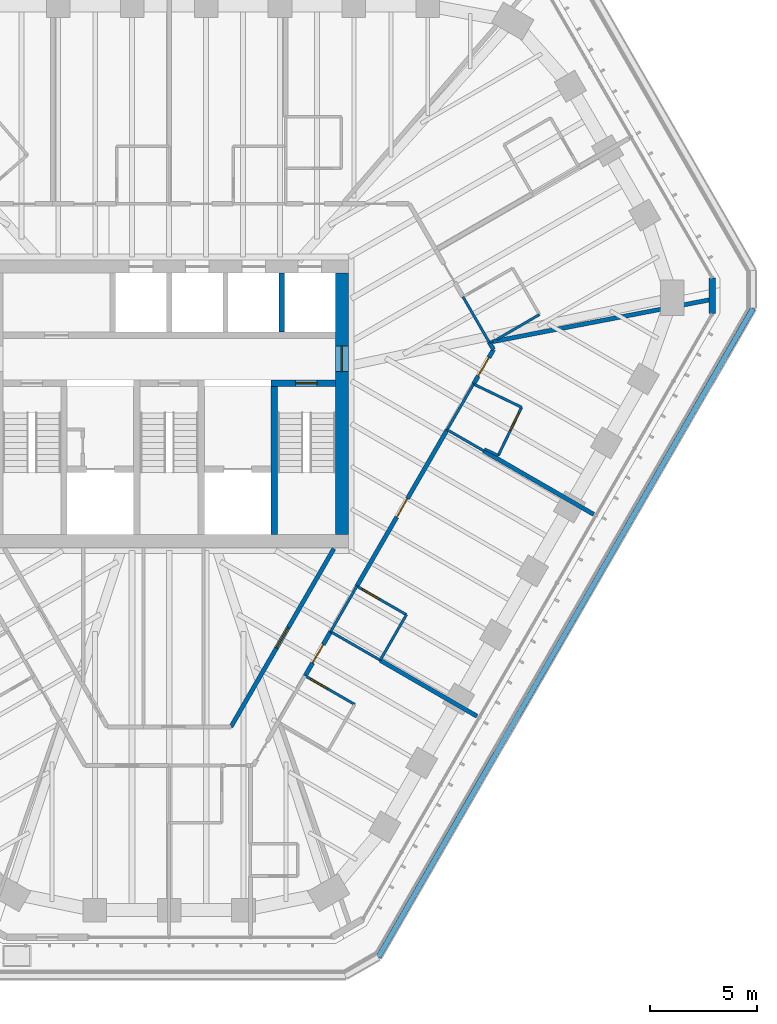
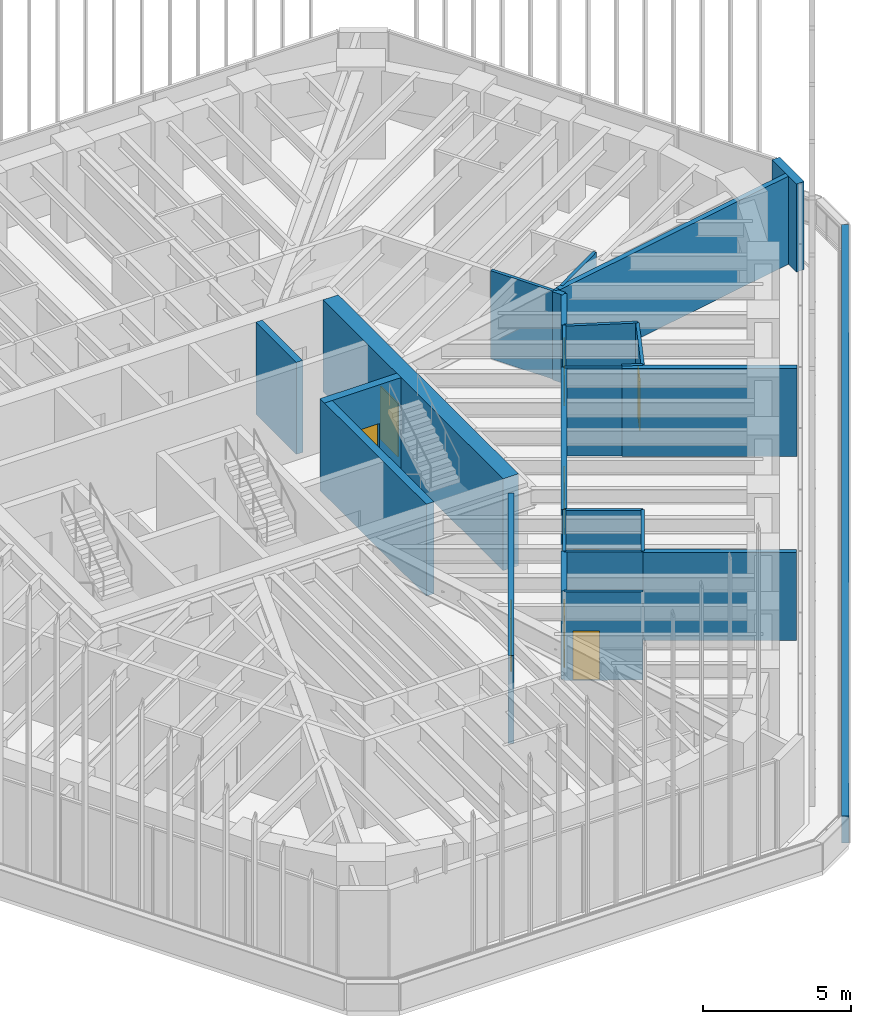
# One storey, part 122 of 127: 27 walls, 9 doors, 9 openings.
"""IFC4 building model written with IfcOpenShell, lengths in metres."""

import ifcopenshell
import ifcopenshell.guid

model = None  # the IFC model being written
_history = None  # IfcOwnerHistory: only IFC2X3 demands one
_inside = {}  # id of a spatial element -> (the spatial element, [elements in it])
_under = {}  # id of a project, library or spatial element -> (it, [spatial elements below it])
_declared = {}  # id of a project -> (the project, [libraries it declares])
_typed = {}  # id of a type object -> (the type object, [elements of that type])
_made_of = {}  # id of a material, layer set ... -> (it, [elements and type objects made of it])


def new_model(schema):
    """Start an empty IFC model of exactly this schema.

    Asked for "IFC4X3", IfcOpenShell would pick the latest addendum, in which some entities
    have other attributes; the version numbers below select the first issue.
    IFC2X3 requires an IfcOwnerHistory on every rooted entity: one is made here for all.
    """
    global model, _history
    if schema == "IFC4X3":
        model = ifcopenshell.file(schema_version=(4, 3, 0, 0))
    else:
        model = ifcopenshell.file(schema=schema)
    _inside.clear()
    _under.clear()
    _declared.clear()
    _typed.clear()
    _made_of.clear()
    _history = None
    if model.schema == "IFC2X3":
        org = make("IfcOrganization", Name="unknown")
        user = make(
            "IfcPersonAndOrganization",
            ThePerson=make("IfcPerson", FamilyName="unknown"),
            TheOrganization=org,
        )
        app = make(
            "IfcApplication",
            ApplicationDeveloper=org,
            Version="unknown",
            ApplicationFullName="unknown",
            ApplicationIdentifier="unknown",
        )
        _history = make(
            "IfcOwnerHistory",
            OwningUser=user,
            OwningApplication=app,
            ChangeAction="ADDED",
            CreationDate=0,
        )
    return model


def make(cls, **values):
    """One entity of the class cls with the attributes given. An attribute that is None is left unset."""
    return model.create_entity(
        cls, **{name: value for name, value in values.items() if value is not None}
    )


def rooted(cls, **values):
    """An entity with a GlobalId (a new one), such as an element, a storey or a relation."""
    return make(cls, GlobalId=ifcopenshell.guid.new(), OwnerHistory=_history, **values)


def si_unit(unit_type, name, prefix=None):
    """IfcSIUnit, for example si_unit("LENGTHUNIT", "METRE", prefix="MILLI")."""
    return make("IfcSIUnit", UnitType=unit_type, Prefix=prefix, Name=name)


def assignment(units):
    """IfcUnitAssignment: the units of a project."""
    return None if units is None else make("IfcUnitAssignment", Units=units)


def point(xyz):
    """IfcCartesianPoint."""
    return None if xyz is None else make("IfcCartesianPoint", Coordinates=xyz)


def direction(xyz):
    """IfcDirection."""
    return None if xyz is None else make("IfcDirection", DirectionRatios=xyz)


def frame(location, z_axis=None, x_axis=None):
    """IfcAxis2Placement3D, a coordinate frame: its origin and axes. An axis left out is left unset."""
    return make(
        "IfcAxis2Placement3D",
        Location=point(location),
        Axis=direction(z_axis),
        RefDirection=direction(x_axis),
    )


def frame_2d(location, x_axis=None):
    """IfcAxis2Placement2D, a coordinate frame in the plane: its origin and x axis."""
    return make(
        "IfcAxis2Placement2D", Location=point(location), RefDirection=direction(x_axis)
    )


def origin():
    """The frame at (0, 0, 0) with its axes left unset."""
    return frame((0.0, 0.0, 0.0))


def place(relative_to, where):
    """IfcLocalPlacement: puts the frame where relative to a parent placement (None: the world)."""
    return make(
        "IfcLocalPlacement", PlacementRelTo=relative_to, RelativePlacement=where
    )


def context(
    kind, dimensions, precision=None, world=None, true_north=None, identifier=None
):
    """IfcGeometricRepresentationContext, for example the 3D "Model" context."""
    return make(
        "IfcGeometricRepresentationContext",
        ContextIdentifier=identifier,
        ContextType=kind,
        CoordinateSpaceDimension=dimensions,
        Precision=precision,
        WorldCoordinateSystem=world,
        TrueNorth=true_north,
    )


def subcontext(parent, identifier, kind, view, scale=None):
    """IfcGeometricRepresentationSubContext, for example "Body" below "Model"."""
    return make(
        "IfcGeometricRepresentationSubContext",
        ContextIdentifier=identifier,
        ContextType=kind,
        ParentContext=parent,
        TargetScale=scale,
        TargetView=view,
    )


def project(units=None, contexts=None):
    """IfcProject with its units and contexts."""
    return rooted(
        "IfcProject",
        Name="project",
        RepresentationContexts=contexts,
        UnitsInContext=assignment(units),
    )


def spatial(cls, under=None, at=None, **own):
    """A site, building, storey or space (cls), placed at a placement, below another one or the project."""
    s = rooted(cls, ObjectPlacement=at, **own)
    if under is not None:
        _under.setdefault(under.id(), (under, []))[1].append(s)
    return s


def profile(cls, at=None, kind="AREA", **sizes):
    """A parametric profile (cls). Its sizes go by their IFC names, for example OverallWidth=200.0."""
    return make(cls, ProfileType=kind, Position=at, **sizes)


def rectangle(**sizes):
    """IfcRectangleProfileDef."""
    return profile("IfcRectangleProfileDef", **sizes)


def extrude(swept, where, along, depth):
    """IfcExtrudedAreaSolid: the profile swept, set in the frame where, extruded along a direction by depth."""
    return make(
        "IfcExtrudedAreaSolid",
        SweptArea=swept,
        Position=where,
        ExtrudedDirection=direction(along),
        Depth=depth,
    )


def shape(context_of_items, identifier, shape_type, items):
    """IfcShapeRepresentation: the items that make up one representation, for example the "Body"."""
    return make(
        "IfcShapeRepresentation",
        ContextOfItems=context_of_items,
        RepresentationIdentifier=identifier,
        RepresentationType=shape_type,
        Items=items,
    )


def material(Name=None, Category=None):
    """IfcMaterial."""
    return make("IfcMaterial", Name=Name, Category=Category)


def layer(
    of_material, thickness, ventilated=None, Name=None, Category=None, Priority=None
):
    """IfcMaterialLayer: one layer of a wall or slab, of a material (None: an air gap)."""
    return make(
        "IfcMaterialLayer",
        Material=of_material,
        LayerThickness=thickness,
        IsVentilated=ventilated,
        Name=Name,
        Category=Category,
        Priority=Priority,
    )


def layer_set(layers, Name=None):
    """IfcMaterialLayerSet."""
    return make("IfcMaterialLayerSet", MaterialLayers=layers, LayerSetName=Name)


def made_of(thing, what):
    """Note that an element or type object is made of a material, layer set ...; save() writes the relation."""
    if what is not None:
        _made_of.setdefault(what.id(), (what, []))[1].append(thing)
    return thing


def type_object(cls, material=None, **own):
    """A type object (cls), such as IfcWallType, which elements share."""
    return made_of(rooted(cls, **own), material)


def element(
    cls,
    number,
    at=None,
    inside=None,
    cuts=None,
    type_object=None,
    material=None,
    context=None,
    identifier="Body",
    shape_type=None,
    held_by="IfcProductDefinitionShape",
    body=None,
    shapes=None,
    **own,
):
    """One element of the class cls, such as IfcWall. Its Tag is "e" and its number.

    at: its placement. inside: the storey or other place that contains it. cuts: it is an
    opening in that element (IfcRelVoidsElement). A single representation is given by context,
    identifier, shape_type and body (its items); several are given by shapes. held_by: the class
    of the entity that holds the representations. save() writes the other relations.
    """
    e = rooted(cls, Tag="e%d" % number, ObjectPlacement=at, **own)
    if body is not None:
        shapes = [shape(context, identifier, shape_type, body)]
    if shapes is not None:
        e.Representation = make(held_by, Representations=shapes)
    if inside is not None:
        _inside.setdefault(inside.id(), (inside, []))[1].append(e)
    if cuts is not None:
        rooted(
            "IfcRelVoidsElement", RelatingBuildingElement=cuts, RelatedOpeningElement=e
        )
    if type_object is not None:
        _typed.setdefault(type_object.id(), (type_object, []))[1].append(e)
    return made_of(e, material)


def fill(opening, filler):
    """IfcRelFillsElement: the door or window that sits in an opening."""
    return rooted(
        "IfcRelFillsElement",
        RelatingOpeningElement=opening,
        RelatedBuildingElement=filler,
    )


def aggregate(whole, parts):
    """IfcRelAggregates: a whole, such as a stair, and the parts it consists of."""
    return rooted("IfcRelAggregates", RelatingObject=whole, RelatedObjects=parts)


def save(model, path):
    """Write the relations noted so far, then the file.

    IfcRelAggregates (storeys below a building ...), IfcRelContainedInSpatialStructure (elements
    in a storey), IfcRelDefinesByType, IfcRelAssociatesMaterial and IfcRelDeclares: one each for
    every whole, place, type object, material and project.
    """
    for whole, parts in _under.values():
        aggregate(whole, parts)
    for where, things in _inside.values():
        rooted(
            "IfcRelContainedInSpatialStructure",
            RelatedElements=things,
            RelatingStructure=where,
        )
    for kind, things in _typed.values():
        rooted("IfcRelDefinesByType", RelatedObjects=things, RelatingType=kind)
    for what, things in _made_of.values():
        rooted("IfcRelAssociatesMaterial", RelatedObjects=things, RelatingMaterial=what)
    for by, libraries in _declared.values():
        rooted("IfcRelDeclares", RelatingContext=by, RelatedDefinitions=libraries)
    model.write(path)


model = new_model("IFC4")

# Units and contexts
model_context = context("Model", 3, precision=1e-05, world=origin(), true_north=direction((0.0, 1.0)))
body_context = subcontext(model_context, "Body", "Model", "MODEL_VIEW")
ifc_project = project(units=[si_unit("LENGTHUNIT", "METRE"), si_unit("AREAUNIT", "SQUARE_METRE"), si_unit("VOLUMEUNIT", "CUBIC_METRE"), si_unit("PLANEANGLEUNIT", "RADIAN"), si_unit("MASSUNIT", "GRAM", prefix="KILO")], contexts=[model_context])

# Site, building, storey
site_placement = place(None, origin())
site = spatial("IfcSite", under=ifc_project, at=site_placement, CompositionType="ELEMENT")
building_placement = place(site_placement, origin())
building = spatial("IfcBuilding", under=site, at=building_placement, Name="Sandreach Pilgrim Tower", CompositionType="ELEMENT")
storey_placement = place(building_placement, frame((0.0, 0.0, 257.0)))
storey = spatial("IfcBuildingStorey", under=building, at=storey_placement, Name="L64", CompositionType="ELEMENT", Elevation=257.0)

# Walls
ifc_material_1 = material(Name="Moisture-resistant gypsum board on steel studs", Category="steel")
ifc_layer_1 = layer(ifc_material_1, 0.1201171875)
ifc_layer_set_1 = layer_set([ifc_layer_1], Name="Bathroom partition 120")
wall_type_1 = type_object("IfcWallType", Name="Bathroom partition 120", PredefinedType="PARTITIONING", material=ifc_layer_set_1)
wall_1_placement = place(storey_placement, frame((7.530029296875, -10.6201171875, 0.0), z_axis=(0.0, 0.0, 1.0), x_axis=(0.498748634132, 0.866746675766, 0.0)))
element("IfcWall", 1, at=wall_1_placement, inside=storey, type_object=wall_type_1, Name="Bathroom partition L64-084", PredefinedType="PARTITIONING", context=body_context, shape_type="SweptSolid", body=[
    extrude(rectangle(XDim=2.446044921875, YDim=0.1201171875, at=frame_2d((1.22314453125, 0.0))), origin(), (0.0, 0.0, 1.0), 3.639892578125),
])
wall_2_placement = place(storey_placement, frame((7.530029296875, -10.6201171875, 0.0), z_axis=(0.0, 0.0, 1.0), x_axis=(0.866654860089, -0.498908161372, 0.0)))
element("IfcWall", 2, at=wall_2_placement, inside=storey, type_object=wall_type_1, Name="Bathroom partition L64-085", PredefinedType="PARTITIONING", context=body_context, shape_type="SweptSolid", body=[
    extrude(rectangle(XDim=2.66552734375, YDim=0.1201171875, at=frame_2d((1.332763671875, 0.0))), origin(), (0.0, 0.0, 1.0), 3.639892578125),
])

# Wall, opening, door
wall_3_placement = place(storey_placement, frame((8.64990234375, -14.010009765625, 0.0), z_axis=(0.0, 0.0, 1.0), x_axis=(-0.866592449628, 0.499016559092, 0.0)))
wall_3 = element("IfcWall", 3, at=wall_3_placement, inside=storey, type_object=wall_type_1, Name="Bathroom partition L64-091", PredefinedType="PARTITIONING", context=body_context, shape_type="SweptSolid", body=[
    extrude(rectangle(XDim=2.665283203125, YDim=0.1201171875, at=frame_2d((1.33251953125, 0.0))), origin(), (0.0, 0.0, 1.0), 3.639892578125),
])
opening_1_placement = place(wall_3_placement, frame((1.465576171875, 0.0, 0.0)))
opening_1 = element("IfcOpeningElement", 4, at=opening_1_placement, cuts=wall_3, Name="Opening D09-09B", PredefinedType="OPENING", context=body_context, shape_type="SweptSolid", body=[
    extrude(rectangle(XDim=0.89990234375, YDim=2.030029296875, at=frame_2d((0.449951171875, 1.01513671875))), frame((0.0, 0.06005859375, 0.0), z_axis=(0.0, -1.0, 0.0), x_axis=(1.0, 0.0, 0.0)), (0.0, 0.0, 1.0), 0.1201171875),
])
ifc_material_2 = material(Name="Timber door, steel frame", Category="steel")
door_type_1 = type_object("IfcDoorType", Name="Bathroom door", OperationType="SINGLE_SWING_LEFT", PredefinedType="DOOR", material=ifc_material_2)
door_1_placement = place(opening_1_placement, origin())
door_1 = element("IfcDoor", 5, at=door_1_placement, inside=storey, type_object=door_type_1, Name="Door 6409B", OperationType="SINGLE_SWING_RIGHT", OverallHeight=2.030029296875, OverallWidth=0.89990234375, PredefinedType="DOOR", context=body_context, shape_type="SweptSolid", body=[
    extrude(rectangle(XDim=0.89990234375, YDim=2.030029296875, at=frame_2d((0.449951171875, 1.01513671875))), frame((0.0, 0.02490234375, 0.0), z_axis=(0.0, -1.0, 0.0), x_axis=(1.0, 0.0, 0.0)), (0.0, 0.0, 1.0), 0.050048828125),
])
fill(opening_1, door_1)

# Wall
wall_4_placement = place(storey_placement, frame((9.840087890625, -11.949951171875, 0.0), z_axis=(0.0, 0.0, 1.0), x_axis=(0.498791783817, 0.866721844883, 0.0)))
element("IfcWall", 6, at=wall_4_placement, inside=storey, type_object=wall_type_1, Name="Bathroom partition L64-093", PredefinedType="PARTITIONING", context=body_context, shape_type="SweptSolid", body=[
    extrude(rectangle(XDim=2.44580078125, YDim=0.1201171875, at=frame_2d((1.222900390625, 0.0))), origin(), (0.0, 0.0, 1.0), 3.639892578125),
])

# Wall, opening, door
wall_5_placement = place(storey_placement, frame((11.06005859375, -9.830078125, 0.0), z_axis=(0.0, 0.0, 1.0), x_axis=(-0.866615255992, 0.498976951453, 0.0)))
wall_5 = element("IfcWall", 7, at=wall_5_placement, inside=storey, type_object=wall_type_1, Name="Bathroom partition L64-094", PredefinedType="PARTITIONING", context=body_context, shape_type="SweptSolid", body=[
    extrude(rectangle(XDim=2.66552734375, YDim=0.1201171875, at=frame_2d((1.332763671875, 0.0))), origin(), (0.0, 0.0, 1.0), 3.639892578125),
])
opening_2_placement = place(wall_5_placement, frame((1.465576171875, 0.0, 0.0)))
opening_2 = element("IfcOpeningElement", 8, at=opening_2_placement, cuts=wall_5, Name="Opening D09-08B", PredefinedType="OPENING", context=body_context, shape_type="SweptSolid", body=[
    extrude(rectangle(XDim=0.89990234375, YDim=2.030029296875, at=frame_2d((0.449951171875, 1.01513671875))), frame((0.0, 0.06005859375, 0.0), z_axis=(0.0, -1.0, 0.0), x_axis=(1.0, 0.0, 0.0)), (0.0, 0.0, 1.0), 0.1201171875),
])
door_2_placement = place(opening_2_placement, origin())
door_2 = element("IfcDoor", 9, at=door_2_placement, inside=storey, type_object=door_type_1, Name="Door 6408B", OperationType="SINGLE_SWING_RIGHT", OverallHeight=2.030029296875, OverallWidth=0.89990234375, PredefinedType="DOOR", context=body_context, shape_type="SweptSolid", body=[
    extrude(rectangle(XDim=0.89990234375, YDim=2.030029296875, at=frame_2d((0.449951171875, 1.01513671875))), frame((0.0, 0.02490234375, 0.0), z_axis=(0.0, -1.0, 0.0), x_axis=(1.0, 0.0, 0.0)), (0.0, 0.0, 1.0), 0.050048828125),
])
fill(opening_2, door_2)

# Walls
wall_6_placement = place(storey_placement, frame((12.958984375, -1.20947265625, 0.0), z_axis=(0.0, 0.0, 1.0), x_axis=(0.500472725713, 0.865752303385, 0.0)))
element("IfcWall", 10, at=wall_6_placement, inside=storey, type_object=wall_type_1, Name="Bathroom partition L64-099", PredefinedType="PARTITIONING", context=body_context, shape_type="SweptSolid", body=[
    extrude(rectangle(XDim=2.45947265625, YDim=0.1201171875, at=frame_2d((1.229736328125, 0.0))), origin(), (0.0, 0.0, 1.0), 3.639892578125),
])
wall_7_placement = place(storey_placement, frame((12.9599609375, -1.2099609375, 0.0), z_axis=(0.0, 0.0, 1.0), x_axis=(0.866075784294, -0.499912728242, 0.0)))
element("IfcWall", 11, at=wall_7_placement, inside=storey, type_object=wall_type_1, Name="Bathroom partition L64-100", PredefinedType="PARTITIONING", context=body_context, shape_type="SweptSolid", body=[
    extrude(rectangle(XDim=1.962158203125, YDim=0.1201171875, at=frame_2d((0.98095703125, 0.0))), origin(), (0.0, 0.0, 1.0), 3.639892578125),
])
wall_8_placement = place(storey_placement, frame((13.696533203125, 4.988037109375, 0.0), z_axis=(0.0, 0.0, 1.0), x_axis=(0.500142899558, -0.865942884965, 0.0)))
element("IfcWall", 12, at=wall_8_placement, inside=storey, type_object=wall_type_1, Name="Bathroom partition L64-101", PredefinedType="PARTITIONING", context=body_context, shape_type="SweptSolid", body=[
    extrude(rectangle(XDim=2.446044921875, YDim=0.1201171875, at=frame_2d((1.22314453125, 0.0))), origin(), (0.0, 0.0, 1.0), 3.639892578125),
])
wall_9_placement = place(storey_placement, frame((14.699951171875, -2.10009765625, 0.0), z_axis=(0.0, 0.0, 1.0), x_axis=(0.900120171182, -0.43564168468, 0.0)))
element("IfcWall", 13, at=wall_9_placement, inside=storey, type_object=wall_type_1, Name="Bathroom partition L64-105", PredefinedType="PARTITIONING", context=body_context, shape_type="SweptSolid", body=[
    extrude(rectangle(XDim=0.711181640625, YDim=0.1201171875, at=frame_2d((0.35546875, 0.0))), origin(), (0.0, 0.0, 1.0), 3.639892578125),
])
wall_10_placement = place(storey_placement, frame((14.95458984375, 2.875732421875, 0.0), z_axis=(0.0, 0.0, 1.0), x_axis=(0.986483246584, 0.16386215002, 0.0)))
element("IfcWall", 14, at=wall_10_placement, inside=storey, type_object=wall_type_1, Name="Bathroom partition L64-107", PredefinedType="PARTITIONING", context=body_context, shape_type="SweptSolid", body=[
    extrude(rectangle(XDim=0.1474609375, YDim=0.1201171875, at=frame_2d((0.07373046875, 0.0))), origin(), (0.0, 0.0, 1.0), 3.639892578125),
])
wall_11_placement = place(storey_placement, frame((15.281494140625, 3.005859375, 0.0), z_axis=(0.0, 0.0, 1.0), x_axis=(0.863794364129, 0.503844516194, 0.0)))
element("IfcWall", 15, at=wall_11_placement, inside=storey, type_object=wall_type_1, Name="Bathroom partition L64-108", PredefinedType="PARTITIONING", context=body_context, shape_type="SweptSolid", body=[
    extrude(rectangle(XDim=2.29052734375, YDim=0.1201171875, at=frame_2d((1.145263671875, 0.0))), origin(), (0.0, 0.0, 1.0), 3.639892578125),
])

# Wall, opening, door
wall_12_placement = place(storey_placement, frame((15.340087890625, -2.409912109375, 0.0), z_axis=(0.0, 0.0, 1.0), x_axis=(0.435928453727, 0.899981323824, 0.0)))
wall_12 = element("IfcWall", 16, at=wall_12_placement, inside=storey, type_object=wall_type_1, Name="Bathroom partition L64-109", PredefinedType="PARTITIONING", context=body_context, shape_type="SweptSolid", body=[
    extrude(rectangle(XDim=2.5, YDim=0.1201171875, at=frame_2d((1.25, 0.0))), origin(), (0.0, 0.0, 1.0), 3.639892578125),
])
opening_3_placement = place(wall_12_placement, frame((1.300048828125, 0.0, 0.0)))
opening_3 = element("IfcOpeningElement", 17, at=opening_3_placement, cuts=wall_12, Name="Opening D09-07B", PredefinedType="OPENING", context=body_context, shape_type="SweptSolid", body=[
    extrude(rectangle(XDim=0.89990234375, YDim=2.030029296875, at=frame_2d((0.449951171875, 1.01513671875))), frame((0.0, 0.06005859375, 0.0), z_axis=(0.0, -1.0, 0.0), x_axis=(1.0, 0.0, 0.0)), (0.0, 0.0, 1.0), 0.1201171875),
])
door_3_placement = place(opening_3_placement, origin())
door_3 = element("IfcDoor", 18, at=door_3_placement, inside=storey, type_object=door_type_1, Name="Door 6407B", OperationType="SINGLE_SWING_RIGHT", OverallHeight=2.030029296875, OverallWidth=0.89990234375, PredefinedType="DOOR", context=body_context, shape_type="SweptSolid", body=[
    extrude(rectangle(XDim=0.89990234375, YDim=2.030029296875, at=frame_2d((0.449951171875, 1.01513671875))), frame((0.0, 0.02490234375, 0.0), z_axis=(0.0, -1.0, 0.0), x_axis=(1.0, 0.0, 0.0)), (0.0, 0.0, 1.0), 0.050048828125),
])
fill(opening_3, door_3)

# Walls
wall_13_placement = place(storey_placement, frame((16.429931640625, -0.159912109375, 0.0), z_axis=(0.0, 0.0, 1.0), x_axis=(-0.900794056548, 0.434246551729, 0.0)))
element("IfcWall", 19, at=wall_13_placement, inside=storey, type_object=wall_type_1, Name="Bathroom partition L64-112", PredefinedType="PARTITIONING", context=body_context, shape_type="SweptSolid", body=[
    extrude(rectangle(XDim=2.486572265625, YDim=0.1201171875, at=frame_2d((1.2431640625, 0.0))), origin(), (0.0, 0.0, 1.0), 3.639892578125),
])
ifc_material_3 = material(Name="Concrete 10000 psi", Category="concrete")
ifc_layer_2 = layer(ifc_material_3, 0.300048828125)
ifc_layer_set_2 = layer_set([ifc_layer_2], Name="Core inner wall 300")
wall_type_2 = type_object("IfcWallType", Name="Core inner wall 300", PredefinedType="SHEAR", material=ifc_layer_set_2)
wall_14_placement = place(storey_placement, frame((4.89990234375, -6.10009765625, 0.0), z_axis=(0.0, 0.0, 1.0), x_axis=(0.0, 1.0, 0.0)))
element("IfcWall", 20, at=wall_14_placement, inside=storey, type_object=wall_type_2, Name="Core wall I3 L64", PredefinedType="SHEAR", context=body_context, shape_type="SweptSolid", body=[
    extrude(rectangle(XDim=7.2001953125, YDim=0.300048828125, at=frame_2d((3.60009765625, 0.0))), origin(), (0.0, 0.0, 1.0), 3.800048828125),
])

# Wall, opening, door
wall_15_placement = place(storey_placement, frame((4.75, 0.949951171875, 0.0), z_axis=(0.0, 0.0, 1.0), x_axis=(1.0, 0.0, 0.0)))
wall_15 = element("IfcWall", 21, at=wall_15_placement, inside=storey, type_object=wall_type_2, Name="Core wall SN2 L64", PredefinedType="SHEAR", context=body_context, shape_type="SweptSolid", body=[
    extrude(rectangle(XDim=3.0, YDim=0.300048828125, at=frame_2d((1.5, 0.0))), origin(), (0.0, 0.0, 1.0), 3.800048828125),
])
opening_4_placement = place(wall_15_placement, frame((1.14990234375, 0.0, 0.0)))
opening_4 = element("IfcOpeningElement", 22, at=opening_4_placement, cuts=wall_15, Name="Opening D10S-ST2", PredefinedType="OPENING", context=body_context, shape_type="SweptSolid", body=[
    extrude(rectangle(XDim=1.0, YDim=2.199951171875, at=frame_2d((0.5, 1.10009765625))), frame((0.0, 0.14990234375, 0.0), z_axis=(0.0, -1.0, 0.0), x_axis=(1.0, 0.0, 0.0)), (0.0, 0.0, 1.0), 0.300048828125),
])
ifc_material_4 = material(Name="Steel door and frame", Category="steel")
door_type_2 = type_object("IfcDoorType", Name="Stair door", OperationType="SINGLE_SWING_LEFT", PredefinedType="DOOR", material=ifc_material_4)
door_4_placement = place(opening_4_placement, origin())
door_4 = element("IfcDoor", 23, at=door_4_placement, inside=storey, type_object=door_type_2, Name="Stair door ST2 L64", OperationType="SINGLE_SWING_RIGHT", OverallHeight=2.199951171875, OverallWidth=1.0, PredefinedType="DOOR", context=body_context, shape_type="SweptSolid", body=[
    extrude(rectangle(XDim=1.0, YDim=2.199951171875, at=frame_2d((0.5, 1.10009765625))), frame((0.0, 0.02490234375, 0.0), z_axis=(0.0, -1.0, 0.0), x_axis=(1.0, 0.0, 0.0)), (0.0, 0.0, 1.0), 0.050048828125),
])
fill(opening_4, door_4)

ifc_material_5 = material(Name="Concrete 10000 psi", Category="concrete")
ifc_layer_3 = layer(ifc_material_5, 0.60009765625)
ifc_layer_set_3 = layer_set([ifc_layer_3], Name="Core wall 600")
wall_type_3 = type_object("IfcWallType", Name="Core wall 600", PredefinedType="SHEAR", material=ifc_layer_set_3)
wall_16_placement = place(storey_placement, frame((8.050048828125, -6.10009765625, 0.0), z_axis=(0.0, 0.0, 1.0), x_axis=(0.0, 1.0, 0.0)))
wall_16 = element("IfcWall", 24, at=wall_16_placement, inside=storey, type_object=wall_type_3, Name="Core wall E L64", PredefinedType="SHEAR", context=body_context, shape_type="SweptSolid", body=[
    extrude(rectangle(XDim=12.2001953125, YDim=0.60009765625, at=frame_2d((6.10009765625, 0.0))), origin(), (0.0, 0.0, 1.0), 3.800048828125),
])
opening_5_placement = place(wall_16_placement, frame((7.60009765625, 0.0, 0.0)))
opening_5 = element("IfcOpeningElement", 25, at=opening_5_placement, cuts=wall_16, Name="Opening D12F-E", PredefinedType="OPENING", context=body_context, shape_type="SweptSolid", body=[
    extrude(rectangle(XDim=1.199951171875, YDim=2.199951171875, at=frame_2d((0.60009765625, 1.10009765625))), frame((0.0, 0.300048828125, 0.0), z_axis=(0.0, -1.0, 0.0), x_axis=(1.0, 0.0, 0.0)), (0.0, 0.0, 1.0), 0.60009765625),
])
ifc_material_6 = material(Name="Steel door and frame", Category="steel")
door_type_3 = type_object("IfcDoorType", Name="Fire lobby door", OperationType="SINGLE_SWING_LEFT", PredefinedType="DOOR", material=ifc_material_6)
door_5_placement = place(opening_5_placement, origin())
door_5 = element("IfcDoor", 26, at=door_5_placement, inside=storey, type_object=door_type_3, Name="Fire service lobby door E L64", OperationType="SINGLE_SWING_RIGHT", OverallHeight=2.199951171875, OverallWidth=1.199951171875, PredefinedType="DOOR", context=body_context, shape_type="SweptSolid", body=[
    extrude(rectangle(XDim=1.199951171875, YDim=2.199951171875, at=frame_2d((0.60009765625, 1.10009765625))), frame((0.0, 0.02490234375, 0.0), z_axis=(0.0, -1.0, 0.0), x_axis=(1.0, 0.0, 0.0)), (0.0, 0.0, 1.0), 0.050048828125),
])
fill(opening_5, door_5)

ifc_material_7 = material(Name="Gypsum board on steel studs, two layers each side", Category="steel")
ifc_layer_4 = layer(ifc_material_7, 0.199951171875)
ifc_layer_set_4 = layer_set([ifc_layer_4], Name="Corridor wall 200")
wall_type_4 = type_object("IfcWallType", Name="Corridor wall 200", PredefinedType="PARTITIONING", material=ifc_layer_set_4)
wall_17_placement = place(storey_placement, frame((6.340087890625, -12.679931640625, 0.0), z_axis=(0.0, 0.0, 1.0), x_axis=(0.500222880675, 0.865896685321, 0.0)))
wall_17 = element("IfcWall", 27, at=wall_17_placement, inside=storey, type_object=wall_type_4, Name="Corridor wall L64-082", PredefinedType="PARTITIONING", context=body_context, shape_type="SweptSolid", body=[
    extrude(rectangle(XDim=2.37890625, YDim=0.199951171875, at=frame_2d((1.189453125, 0.0))), origin(), (0.0, 0.0, 1.0), 3.639892578125),
])
opening_6_placement = place(wall_17_placement, frame((0.689453125, 0.0, 0.0)))
opening_6 = element("IfcOpeningElement", 28, at=opening_6_placement, cuts=wall_17, Name="Opening D10-09", PredefinedType="OPENING", context=body_context, shape_type="SweptSolid", body=[
    extrude(rectangle(XDim=1.0, YDim=2.1298828125, at=frame_2d((0.5, 1.06494140625))), frame((0.0, 0.10009765625, 0.0), z_axis=(0.0, -1.0, 0.0), x_axis=(1.0, 0.0, 0.0)), (0.0, 0.0, 1.0), 0.199951171875),
])
ifc_material_8 = material(Name="Steel door and frame", Category="steel")
door_type_4 = type_object("IfcDoorType", Name="Guest room entry door", OperationType="SINGLE_SWING_LEFT", PredefinedType="DOOR", material=ifc_material_8)
door_6_placement = place(opening_6_placement, origin())
door_6 = element("IfcDoor", 29, at=door_6_placement, inside=storey, type_object=door_type_4, Name="Door 6409", OperationType="SINGLE_SWING_LEFT", OverallHeight=2.1298828125, OverallWidth=1.0, PredefinedType="DOOR", context=body_context, shape_type="SweptSolid", body=[
    extrude(rectangle(XDim=1.0, YDim=2.1298828125, at=frame_2d((0.5, 1.06494140625))), frame((0.0, 0.02490234375, 0.0), z_axis=(0.0, -1.0, 0.0), x_axis=(1.0, 0.0, 0.0)), (0.0, 0.0, 1.0), 0.050048828125),
])
fill(opening_6, door_6)

wall_18_placement = place(storey_placement, frame((7.679931640625, -6.75, 0.0), z_axis=(0.0, 0.0, 1.0), x_axis=(-0.500174600737, -0.865924574532, 0.0)))
wall_18 = element("IfcWall", 30, at=wall_18_placement, inside=storey, type_object=wall_type_4, Name="Corridor wall L64-086", PredefinedType="PARTITIONING", context=body_context, shape_type="SweptSolid", body=[
    extrude(rectangle(XDim=9.5966796875, YDim=0.199951171875, at=frame_2d((4.79833984375, 0.0))), origin(), (0.0, 0.0, 1.0), 3.639892578125),
])
opening_7_placement = place(wall_18_placement, frame((4.248291015625, 0.0, 0.0)))
opening_7 = element("IfcOpeningElement", 31, at=opening_7_placement, cuts=wall_18, Name="Opening D11H-S4", PredefinedType="OPENING", context=body_context, shape_type="SweptSolid", body=[
    extrude(rectangle(XDim=1.10009765625, YDim=2.199951171875, at=frame_2d((0.550048828125, 1.10009765625))), frame((0.0, 0.10009765625, 0.0), z_axis=(0.0, -1.0, 0.0), x_axis=(1.0, 0.0, 0.0)), (0.0, 0.0, 1.0), 0.199951171875),
])
ifc_material_9 = material(Name="Steel door and frame", Category="steel")
door_type_5 = type_object("IfcDoorType", Name="Back of house door", OperationType="SINGLE_SWING_LEFT", PredefinedType="DOOR", material=ifc_material_9)
door_7_placement = place(opening_7_placement, origin())
door_7 = element("IfcDoor", 32, at=door_7_placement, inside=storey, type_object=door_type_5, Name="Door 64S4", OperationType="SINGLE_SWING_LEFT", OverallHeight=2.199951171875, OverallWidth=1.10009765625, PredefinedType="DOOR", context=body_context, shape_type="SweptSolid", body=[
    extrude(rectangle(XDim=1.10009765625, YDim=2.199951171875, at=frame_2d((0.550048828125, 1.10009765625))), frame((0.0, 0.02490234375, 0.0), z_axis=(0.0, -1.0, 0.0), x_axis=(1.0, 0.0, 0.0)), (0.0, 0.0, 1.0), 0.050048828125),
])
fill(opening_7, door_7)

wall_19_placement = place(storey_placement, frame((8.75, -8.5, 0.0), z_axis=(0.0, 0.0, 1.0), x_axis=(0.500093981358, 0.865971136822, 0.0)))
wall_19 = element("IfcWall", 33, at=wall_19_placement, inside=storey, type_object=wall_type_4, Name="Corridor wall L64-092", PredefinedType="PARTITIONING", context=body_context, shape_type="SweptSolid", body=[
    extrude(rectangle(XDim=8.41845703125, YDim=0.199951171875, at=frame_2d((4.209228515625, 0.0))), origin(), (0.0, 0.0, 1.0), 3.639892578125),
])
opening_8_placement = place(wall_19_placement, frame((3.709228515625, 0.0, 0.0)))
opening_8 = element("IfcOpeningElement", 34, at=opening_8_placement, cuts=wall_19, Name="Opening D10-08", PredefinedType="OPENING", context=body_context, shape_type="SweptSolid", body=[
    extrude(rectangle(XDim=1.0, YDim=2.1298828125, at=frame_2d((0.5, 1.06494140625))), frame((0.0, 0.10009765625, 0.0), z_axis=(0.0, -1.0, 0.0), x_axis=(1.0, 0.0, 0.0)), (0.0, 0.0, 1.0), 0.199951171875),
])
door_8_placement = place(opening_8_placement, origin())
door_8 = element("IfcDoor", 35, at=door_8_placement, inside=storey, type_object=door_type_4, Name="Door 6408", OperationType="SINGLE_SWING_LEFT", OverallHeight=2.1298828125, OverallWidth=1.0, PredefinedType="DOOR", context=body_context, shape_type="SweptSolid", body=[
    extrude(rectangle(XDim=1.0, YDim=2.1298828125, at=frame_2d((0.5, 1.06494140625))), frame((0.0, 0.02490234375, 0.0), z_axis=(0.0, -1.0, 0.0), x_axis=(1.0, 0.0, 0.0)), (0.0, 0.0, 1.0), 0.050048828125),
])
fill(opening_8, door_8)

wall_20_placement = place(storey_placement, frame((14.18994140625, 0.919921875, 0.0), z_axis=(0.0, 0.0, 1.0), x_axis=(0.500233848448, 0.865890349217, 0.0)))
wall_20 = element("IfcWall", 36, at=wall_20_placement, inside=storey, type_object=wall_type_4, Name="Corridor wall L64-102", PredefinedType="PARTITIONING", context=body_context, shape_type="SweptSolid", body=[
    extrude(rectangle(XDim=1.859375, YDim=0.199951171875, at=frame_2d((0.9296875, 0.0))), origin(), (0.0, 0.0, 1.0), 3.639892578125),
])
opening_9_placement = place(wall_20_placement, frame((0.4296875, 0.0, 0.0)))
opening_9 = element("IfcOpeningElement", 37, at=opening_9_placement, cuts=wall_20, Name="Opening D10-07", PredefinedType="OPENING", context=body_context, shape_type="SweptSolid", body=[
    extrude(rectangle(XDim=1.0, YDim=2.1298828125, at=frame_2d((0.5, 1.06494140625))), frame((0.0, 0.10009765625, 0.0), z_axis=(0.0, -1.0, 0.0), x_axis=(1.0, 0.0, 0.0)), (0.0, 0.0, 1.0), 0.199951171875),
])
door_9_placement = place(opening_9_placement, origin())
door_9 = element("IfcDoor", 38, at=door_9_placement, inside=storey, type_object=door_type_4, Name="Door 6407", OperationType="SINGLE_SWING_LEFT", OverallHeight=2.1298828125, OverallWidth=1.0, PredefinedType="DOOR", context=body_context, shape_type="SweptSolid", body=[
    extrude(rectangle(XDim=1.0, YDim=2.1298828125, at=frame_2d((0.5, 1.06494140625))), frame((0.0, 0.02490234375, 0.0), z_axis=(0.0, -1.0, 0.0), x_axis=(1.0, 0.0, 0.0)), (0.0, 0.0, 1.0), 0.050048828125),
])
fill(opening_9, door_9)

# Walls
wall_21_placement = place(storey_placement, frame((14.919921875, 2.8701171875, 0.0), z_axis=(0.0, 0.0, 1.0), x_axis=(0.507290461451, -0.861775137562, 0.0)))
element("IfcWall", 39, at=wall_21_placement, inside=storey, type_object=wall_type_4, Name="Corridor wall L64-106", PredefinedType="PARTITIONING", context=body_context, shape_type="SweptSolid", body=[
    extrude(rectangle(XDim=0.39453125, YDim=0.199951171875, at=frame_2d((0.197265625, 0.0))), origin(), (0.0, 0.0, 1.0), 3.639892578125),
])
ifc_material_10 = material(Name="Double steel stud acoustic wall, gypsum board", Category="steel")
ifc_layer_5 = layer(ifc_material_10, 0.199951171875)
ifc_layer_set_5 = layer_set([ifc_layer_5], Name="Party wall 200")
wall_type_5 = type_object("IfcWallType", Name="Party wall 200", PredefinedType="PARTITIONING", material=ifc_layer_set_5)
wall_22_placement = place(storey_placement, frame((14.34619140625, -14.56005859375, 0.0), z_axis=(0.0, 0.0, 1.0), x_axis=(-0.86575990496, 0.500459575754, 0.0)))
element("IfcWall", 40, at=wall_22_placement, inside=storey, type_object=wall_type_5, Name="Party wall L64-103", PredefinedType="PARTITIONING", context=body_context, shape_type="SweptSolid", body=[
    extrude(rectangle(XDim=5.20751953125, YDim=0.199951171875, at=frame_2d((2.603759765625, 0.0))), origin(), (0.0, 0.0, 1.0), 3.639892578125),
])
wall_23_placement = place(storey_placement, frame((14.659423828125, -2.19091796875, 0.0), z_axis=(0.0, 0.0, 1.0), x_axis=(0.866075017274, -0.499914057068, 0.0)))
element("IfcWall", 41, at=wall_23_placement, inside=storey, type_object=wall_type_5, Name="Party wall L64-104", PredefinedType="PARTITIONING", context=body_context, shape_type="SweptSolid", body=[
    extrude(rectangle(XDim=5.91943359375, YDim=0.199951171875, at=frame_2d((2.959716796875, 0.0))), origin(), (0.0, 0.0, 1.0), 3.639892578125),
])
wall_24_placement = place(storey_placement, frame((25.340576171875, 4.874267578125, 0.0), z_axis=(0.0, 0.0, 1.0), x_axis=(-0.981951021889, -0.189135376412, 0.0)))
element("IfcWall", 42, at=wall_24_placement, inside=storey, type_object=wall_type_5, Name="Party wall L64-119", PredefinedType="PARTITIONING", context=body_context, shape_type="SweptSolid", body=[
    extrude(rectangle(XDim=10.43896484375, YDim=0.199951171875, at=frame_2d((5.219482421875, 0.0))), origin(), (0.0, 0.0, 1.0), 3.639892578125),
])
ifc_material_11 = material(Name="Concrete parapet with terracotta coping", Category="masonry")
ifc_layer_6 = layer(ifc_material_11, 0.25)
ifc_layer_set_6 = layer_set([ifc_layer_6], Name="Setback parapet")
wall_type_6 = type_object("IfcWallType", Name="Setback parapet", PredefinedType="PARAPET", material=ifc_layer_set_6)
wall_25_placement = place(storey_placement, frame((9.75048828125, -25.7998046875, 0.0), z_axis=(0.0, 0.0, 1.0), x_axis=(0.499998496786, 0.866026271663, 0.0)))
element("IfcWall", 43, at=wall_25_placement, inside=storey, type_object=wall_type_6, Name="Setback parapet L64 8", PredefinedType="PARAPET", context=body_context, shape_type="SweptSolid", body=[
    extrude(rectangle(XDim=34.93603515625, YDim=0.25, at=frame_2d((17.468017578125, 0.0))), origin(), (0.0, 0.0, 1.0), 1.10009765625),
])
ifc_material_12 = material(Name="Gypsum shaft wall on steel studs, two layers of shaft liner board", Category="steel")
ifc_layer_7 = layer(ifc_material_12, 0.25)
ifc_layer_set_7 = layer_set([ifc_layer_7], Name="Shaft partition 250")
wall_type_7 = type_object("IfcWallType", Name="Shaft partition 250", PredefinedType="PARTITIONING", material=ifc_layer_set_7)
wall_26_placement = place(storey_placement, frame((5.25, 3.35009765625, 0.0), z_axis=(0.0, 0.0, 1.0), x_axis=(0.0, 1.0, 0.0)))
element("IfcWall", 44, at=wall_26_placement, inside=storey, type_object=wall_type_7, Name="Shaft partition NS4 L64", PredefinedType="PARTITIONING", context=body_context, shape_type="SweptSolid", body=[
    extrude(rectangle(XDim=2.75, YDim=0.25, at=frame_2d((1.375, 0.0))), origin(), (0.0, 0.0, 1.0), 3.800048828125),
])
ifc_material_13 = material(Name="Terracotta rainscreen on concrete", Category="masonry")
ifc_layer_8 = layer(ifc_material_13, 0.300048828125)
ifc_layer_set_8 = layer_set([ifc_layer_8], Name="Terracotta chamfer pier")
wall_type_8 = type_object("IfcWallType", Name="Terracotta chamfer pier", PredefinedType="SOLIDWALL", material=ifc_layer_set_8)
wall_27_placement = place(storey_placement, frame((25.3193359375, 5.861572265625, 0.0), z_axis=(0.0, 0.0, 1.0), x_axis=(0.0, -1.0, 0.0)))
element("IfcWall", 45, at=wall_27_placement, inside=storey, type_object=wall_type_8, Name="Chamfer pier L64 NE", PredefinedType="SOLIDWALL", context=body_context, shape_type="SweptSolid", body=[
    extrude(rectangle(XDim=1.659912109375, YDim=0.300048828125, at=frame_2d((0.830078125, 0.0))), origin(), (0.0, 0.0, 1.0), 3.639892578125),
])

save(model, "model.ifc")
